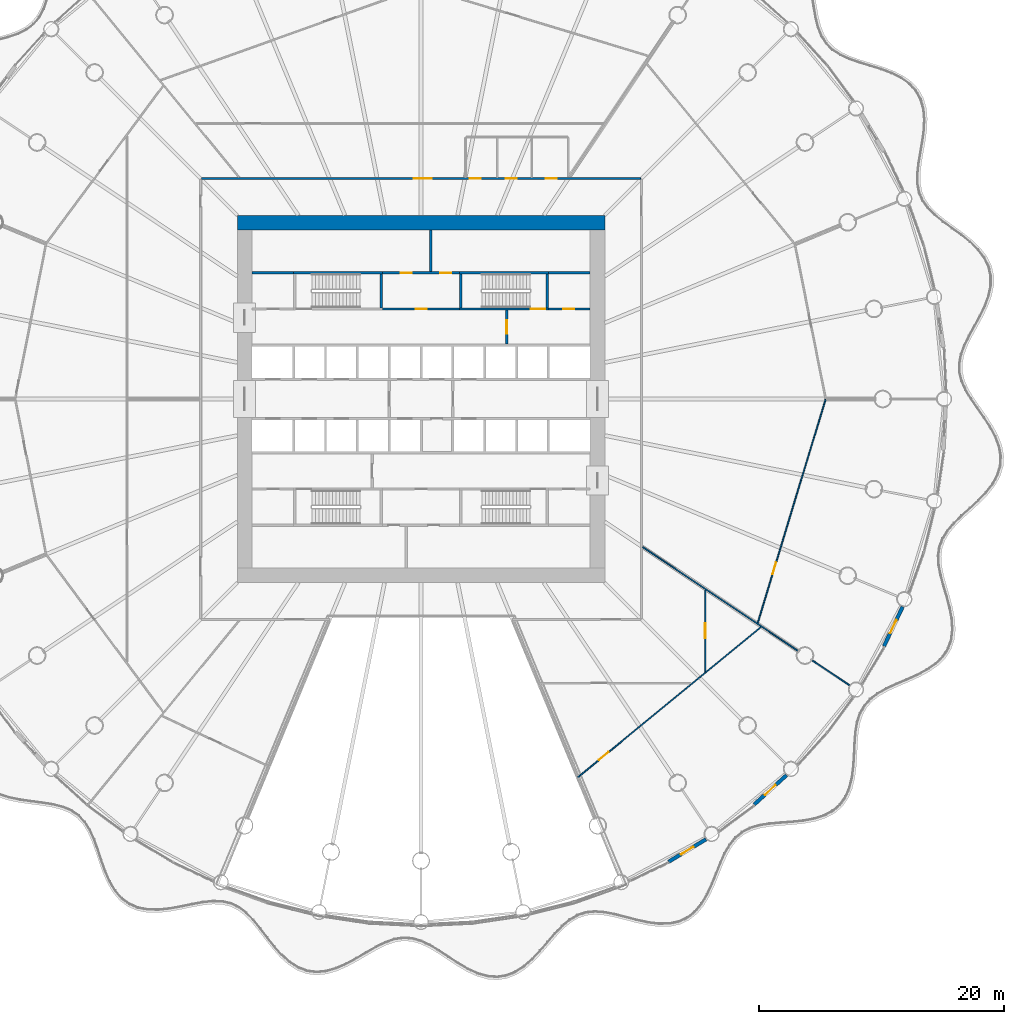
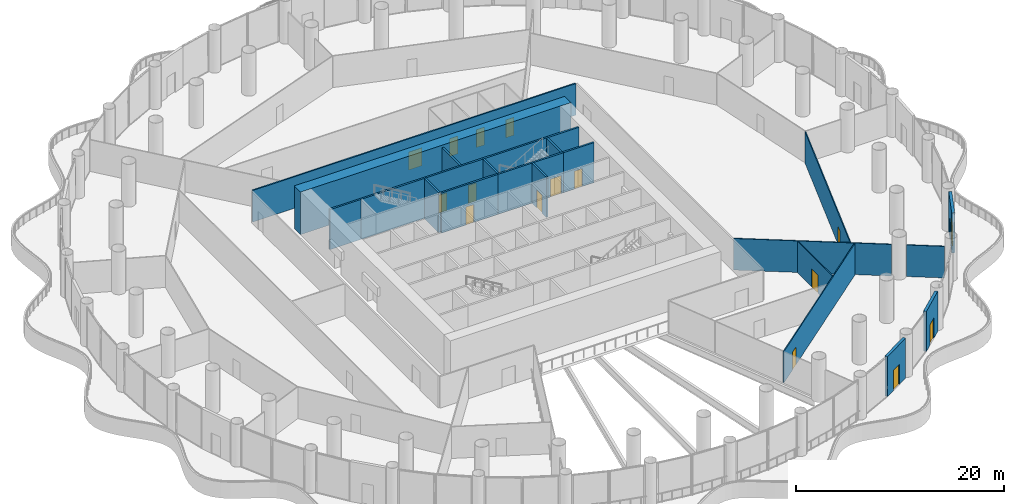
# One storey, part 26 of 36: 23 walls, 16 doors, 16 openings.
"""IFC4 building model written with IfcOpenShell, lengths in metres."""

from ifc_helpers import new_model, si_unit, direction, frame, frame_2d, origin, place, context, subcontext, project, spatial, polyline, rectangle, outline, extrude, material, layer, layer_set, type_object, element, fill, save


model = new_model("IFC4")

# Units and contexts
model_context = context("Model", 3, precision=1e-05, world=origin(), true_north=direction((0.0, 1.0)))
body_context = subcontext(model_context, "Body", "Model", "MODEL_VIEW")
ifc_project = project(units=[si_unit("LENGTHUNIT", "METRE"), si_unit("AREAUNIT", "SQUARE_METRE"), si_unit("VOLUMEUNIT", "CUBIC_METRE"), si_unit("PLANEANGLEUNIT", "RADIAN"), si_unit("MASSUNIT", "GRAM", prefix="KILO")], contexts=[model_context])

# Site, building, storey
site_placement = place(None, origin())
site = spatial("IfcSite", under=ifc_project, at=site_placement, CompositionType="ELEMENT")
building_placement = place(site_placement, origin())
building = spatial("IfcBuilding", under=site, at=building_placement, Name="Corvane Civic Tower", CompositionType="ELEMENT")
storey_placement = place(building_placement, frame((0.0, 0.0, 17.0)))
storey = spatial("IfcBuildingStorey", under=building, at=storey_placement, Name="L03", CompositionType="ELEMENT", Elevation=17.0)

# Wall
ifc_material_1 = material(Name="Concrete C80/95", Category="concrete")
ifc_layer_1 = layer(ifc_material_1, 1.199951171875)
ifc_layer_set_1 = layer_set([ifc_layer_1], Name="Concrete C80/95")
wall_type_1 = type_object("IfcWallType", Name="CORE WALL 1200 C80/95", PredefinedType="SHEAR", material=ifc_layer_set_1)
wall_1_placement = place(storey_placement, frame((-15.0, 14.39990234375, 0.0), z_axis=(0.0, 0.0, 1.0), x_axis=(1.0, 0.0, 0.0)))
element("IfcWall", 1, at=wall_1_placement, inside=storey, type_object=wall_type_1, Name="W-L03-core-N", PredefinedType="SHEAR", context=body_context, shape_type="SweptSolid", body=[
    extrude(rectangle(XDim=30.0, YDim=1.199951171875, at=frame_2d((15.0, 0.0))), origin(), (0.0, 0.0, 1.0), 5.0),
])

# Wall, opening, door
ifc_material_2 = material(Name="Concrete C30/37", Category="concrete")
ifc_layer_2 = layer(ifc_material_2, 0.199951171875)
ifc_layer_set_2 = layer_set([ifc_layer_2], Name="Concrete C30/37")
wall_type_2 = type_object("IfcWallType", Name="CR-WALL-200", PredefinedType="PARTITIONING", material=ifc_layer_set_2)
wall_2_placement = place(storey_placement, frame((-3.14990234375, 7.35009765625, 0.0), z_axis=(0.0, 0.0, 1.0), x_axis=(1.0, 0.0, 0.0)))
wall_2 = element("IfcWall", 2, at=wall_2_placement, inside=storey, type_object=wall_type_2, Name="L03 core partition wall", PredefinedType="PARTITIONING", context=body_context, shape_type="SweptSolid", body=[
    extrude(rectangle(XDim=6.2998046875, YDim=0.199951171875, at=frame_2d((3.14990234375, 0.0))), origin(), (0.0, 0.0, 1.0), 4.699951171875),
])
opening_1_placement = place(wall_2_placement, frame((2.699951171875, 0.0, 0.0)))
opening_1 = element("IfcOpeningElement", 3, at=opening_1_placement, cuts=wall_2, Name="Opening L03.C02", PredefinedType="OPENING", context=body_context, shape_type="SweptSolid", body=[
    extrude(rectangle(XDim=0.89990234375, YDim=2.10009765625, at=frame_2d((0.449951171875, 1.050048828125))), frame((0.0, 0.10986328125, 0.0), z_axis=(0.0, -1.0, 0.0), x_axis=(1.0, 0.0, 0.0)), (0.0, 0.0, 1.0), 0.219970703125),
])
ifc_material_3 = material(Name="Steel fire door leaf", Category="steel")
door_type_1 = type_object("IfcDoorType", Name="CR-DOOR-900", OperationType="SINGLE_SWING_LEFT", PredefinedType="DOOR", material=ifc_material_3)
door_1_placement = place(opening_1_placement, origin())
door_1 = element("IfcDoor", 4, at=door_1_placement, inside=storey, type_object=door_type_1, Name="L03 door", OperationType="SINGLE_SWING_LEFT", OverallHeight=2.10009765625, OverallWidth=0.89990234375, PredefinedType="DOOR", context=body_context, shape_type="SweptSolid", body=[
    extrude(rectangle(XDim=0.89990234375, YDim=2.10009765625, at=frame_2d((0.449951171875, 1.050048828125))), frame((0.0, 0.02490234375, 0.0), z_axis=(0.0, -1.0, 0.0), x_axis=(1.0, 0.0, 0.0)), (0.0, 0.0, 1.0), 0.050048828125),
])
fill(opening_1, door_1)

wall_3_placement = place(storey_placement, frame((10.39990234375, 7.35009765625, 0.0), z_axis=(0.0, 0.0, 1.0), x_axis=(1.0, 0.0, 0.0)))
wall_3 = element("IfcWall", 5, at=wall_3_placement, inside=storey, type_object=wall_type_2, Name="L03 core partition wall", PredefinedType="PARTITIONING", context=body_context, shape_type="SweptSolid", body=[
    extrude(rectangle(XDim=3.400146484375, YDim=0.199951171875, at=frame_2d((1.7001953125, 0.0))), origin(), (0.0, 0.0, 1.0), 4.699951171875),
])
opening_2_placement = place(wall_3_placement, frame((1.199951171875, 0.0, 0.0)))
opening_2 = element("IfcOpeningElement", 6, at=opening_2_placement, cuts=wall_3, Name="Opening L03.C10", PredefinedType="OPENING", context=body_context, shape_type="SweptSolid", body=[
    extrude(rectangle(XDim=0.89990234375, YDim=2.10009765625, at=frame_2d((0.449951171875, 1.050048828125))), frame((0.0, 0.10986328125, 0.0), z_axis=(0.0, -1.0, 0.0), x_axis=(1.0, 0.0, 0.0)), (0.0, 0.0, 1.0), 0.219970703125),
])
door_2_placement = place(opening_2_placement, origin())
door_2 = element("IfcDoor", 7, at=door_2_placement, inside=storey, type_object=door_type_1, Name="L03 door", OperationType="SINGLE_SWING_LEFT", OverallHeight=2.10009765625, OverallWidth=0.89990234375, PredefinedType="DOOR", context=body_context, shape_type="SweptSolid", body=[
    extrude(rectangle(XDim=0.89990234375, YDim=2.10009765625, at=frame_2d((0.449951171875, 1.050048828125))), frame((0.0, 0.02490234375, 0.0), z_axis=(0.0, -1.0, 0.0), x_axis=(1.0, 0.0, 0.0)), (0.0, 0.0, 1.0), 0.050048828125),
])
fill(opening_2, door_2)

# Wall, openings, doors
wall_4_placement = place(storey_placement, frame((-3.14990234375, 10.300048828125, 0.0), z_axis=(0.0, 0.0, 1.0), x_axis=(1.0, 0.0, 0.0)))
wall_4 = element("IfcWall", 8, at=wall_4_placement, inside=storey, type_object=wall_type_2, Name="L03 partition wall", PredefinedType="PARTITIONING", context=body_context, shape_type="SweptSolid", body=[
    extrude(rectangle(XDim=6.2998046875, YDim=0.199951171875, at=frame_2d((3.14990234375, 0.0))), origin(), (0.0, 0.0, 1.0), 4.699951171875),
])
opening_3_placement = place(wall_4_placement, frame((1.47509765625, 0.0, 0.0)))
opening_3 = element("IfcOpeningElement", 9, at=opening_3_placement, cuts=wall_4, Name="Opening L03.C04", PredefinedType="OPENING", context=body_context, shape_type="SweptSolid", body=[
    extrude(rectangle(XDim=0.89990234375, YDim=2.10009765625, at=frame_2d((0.449951171875, 1.050048828125))), frame((0.0, 0.10986328125, 0.0), z_axis=(0.0, -1.0, 0.0), x_axis=(1.0, 0.0, 0.0)), (0.0, 0.0, 1.0), 0.219970703125),
])
opening_4_placement = place(wall_4_placement, frame((4.72509765625, 0.0, 0.0)))
opening_4 = element("IfcOpeningElement", 10, at=opening_4_placement, cuts=wall_4, Name="Opening L03.C05", PredefinedType="OPENING", context=body_context, shape_type="SweptSolid", body=[
    extrude(rectangle(XDim=0.89990234375, YDim=2.10009765625, at=frame_2d((0.449951171875, 1.050048828125))), frame((0.0, 0.10986328125, 0.0), z_axis=(0.0, -1.0, 0.0), x_axis=(1.0, 0.0, 0.0)), (0.0, 0.0, 1.0), 0.219970703125),
])
door_3_placement = place(opening_3_placement, origin())
door_3 = element("IfcDoor", 11, at=door_3_placement, inside=storey, type_object=door_type_1, Name="L03 door", OperationType="SINGLE_SWING_LEFT", OverallHeight=2.10009765625, OverallWidth=0.89990234375, PredefinedType="DOOR", context=body_context, shape_type="SweptSolid", body=[
    extrude(rectangle(XDim=0.89990234375, YDim=2.10009765625, at=frame_2d((0.449951171875, 1.050048828125))), frame((0.0, 0.02490234375, 0.0), z_axis=(0.0, -1.0, 0.0), x_axis=(1.0, 0.0, 0.0)), (0.0, 0.0, 1.0), 0.050048828125),
])
fill(opening_3, door_3)
door_4_placement = place(opening_4_placement, origin())
door_4 = element("IfcDoor", 12, at=door_4_placement, inside=storey, type_object=door_type_1, Name="L03 door", OperationType="SINGLE_SWING_LEFT", OverallHeight=2.10009765625, OverallWidth=0.89990234375, PredefinedType="DOOR", context=body_context, shape_type="SweptSolid", body=[
    extrude(rectangle(XDim=0.89990234375, YDim=2.10009765625, at=frame_2d((0.449951171875, 1.050048828125))), frame((0.0, 0.02490234375, 0.0), z_axis=(0.0, -1.0, 0.0), x_axis=(1.0, 0.0, 0.0)), (0.0, 0.0, 1.0), 0.050048828125),
])
fill(opening_4, door_4)

# Wall, opening, door
wall_5_placement = place(storey_placement, frame((7.0, 4.5, 0.0), z_axis=(0.0, 0.0, 1.0), x_axis=(0.0, 1.0, 0.0)))
wall_5 = element("IfcWall", 13, at=wall_5_placement, inside=storey, type_object=wall_type_2, Name="L03 core partition wall", PredefinedType="PARTITIONING", context=body_context, shape_type="SweptSolid", body=[
    extrude(rectangle(XDim=2.75, YDim=0.199951171875, at=frame_2d((1.375, 0.0))), origin(), (0.0, 0.0, 1.0), 4.699951171875),
])
opening_5_placement = place(wall_5_placement, frame((0.824951171875, 0.0, 0.0)))
opening_5 = element("IfcOpeningElement", 14, at=opening_5_placement, cuts=wall_5, Name="Opening L03.C18", PredefinedType="OPENING", context=body_context, shape_type="SweptSolid", body=[
    extrude(rectangle(XDim=1.10009765625, YDim=2.10009765625, at=frame_2d((0.550048828125, 1.050048828125))), frame((0.0, 0.10986328125, 0.0), z_axis=(0.0, -1.0, 0.0), x_axis=(1.0, 0.0, 0.0)), (0.0, 0.0, 1.0), 0.219970703125),
])
ifc_material_4 = material(Name="Steel fire door leaf", Category="steel")
door_type_2 = type_object("IfcDoorType", Name="CR-DOOR-FFL-1100", OperationType="SINGLE_SWING_LEFT", PredefinedType="DOOR", material=ifc_material_4)
door_5_placement = place(opening_5_placement, origin())
door_5 = element("IfcDoor", 15, at=door_5_placement, inside=storey, type_object=door_type_2, Name="L03 lobby door", OperationType="SINGLE_SWING_LEFT", OverallHeight=2.10009765625, OverallWidth=1.10009765625, PredefinedType="DOOR", context=body_context, shape_type="SweptSolid", body=[
    extrude(rectangle(XDim=1.10009765625, YDim=2.10009765625, at=frame_2d((0.550048828125, 1.050048828125))), frame((0.0, 0.02490234375, 0.0), z_axis=(0.0, -1.0, 0.0), x_axis=(1.0, 0.0, 0.0)), (0.0, 0.0, 1.0), 0.050048828125),
])
fill(opening_5, door_5)

# Walls
wall_6_placement = place(storey_placement, origin())
element("IfcWall", 16, at=wall_6_placement, inside=storey, type_object=wall_type_2, Name="L03 core partition wall", PredefinedType="PARTITIONING", context=body_context, shape_type="SweptSolid", body=[
    extrude(outline(polyline([(-13.800048828125, 10.199951171875), (-13.800048828125, 10.39990234375), (-10.39990234375, 10.39990234375), (-10.39990234375, 10.199951171875), (-13.800048828125, 10.199951171875)])), origin(), (0.0, 0.0, 1.0), 4.699951171875),
])
wall_7_placement = place(storey_placement, origin())
element("IfcWall", 17, at=wall_7_placement, inside=storey, type_object=wall_type_2, Name="L03 core partition wall", PredefinedType="PARTITIONING", context=body_context, shape_type="SweptSolid", body=[
    extrude(outline(polyline([(0.89990234375, 10.39990234375), (0.699951171875, 10.39990234375), (0.699951171875, 13.800048828125), (0.89990234375, 13.800048828125), (0.89990234375, 10.39990234375)])), origin(), (0.0, 0.0, 1.0), 4.699951171875),
])
wall_8_placement = place(storey_placement, origin())
element("IfcWall", 18, at=wall_8_placement, inside=storey, type_object=wall_type_2, Name="L03 core partition wall", PredefinedType="PARTITIONING", context=body_context, shape_type="SweptSolid", body=[
    extrude(outline(polyline([(10.39990234375, 10.199951171875), (10.39990234375, 10.39990234375), (13.800048828125, 10.39990234375), (13.800048828125, 10.199951171875), (10.39990234375, 10.199951171875)])), origin(), (0.0, 0.0, 1.0), 4.699951171875),
])

# Wall, opening, door
ifc_material_5 = material(Name="Terracotta cladding", Category="masonry")
ifc_layer_3 = layer(ifc_material_5, 0.300048828125)
ifc_layer_set_3 = layer_set([ifc_layer_3], Name="Terracotta cladding")
wall_type_3 = type_object("IfcWallType", Name="PODIUM-W-DRUMDOOR-300", PredefinedType="SOLIDWALL", material=ifc_layer_set_3)
wall_9_placement = place(storey_placement, frame((39.317626953125, -16.9697265625, 0.0), z_axis=(0.0, 0.0, 1.0), x_axis=(-0.427546758778, -0.903993235074, 0.0)))
wall_9 = element("IfcWall", 19, at=wall_9_placement, inside=storey, type_object=wall_type_3, Name="L03 drum door bay wall 11", PredefinedType="SOLIDWALL", context=body_context, shape_type="SweptSolid", body=[
    extrude(rectangle(XDim=3.559814453125, YDim=0.300048828125, at=frame_2d((1.77978515625, 0.0))), origin(), (0.0, 0.0, 1.0), 4.699951171875),
])
opening_6_placement = place(wall_9_placement, frame((1.179931640625, 0.0, 0.0)))
opening_6 = element("IfcOpeningElement", 20, at=opening_6_placement, cuts=wall_9, Name="Opening ED-L03-11", PredefinedType="OPENING", context=body_context, shape_type="SweptSolid", body=[
    extrude(rectangle(XDim=1.199951171875, YDim=2.39990234375, at=frame_2d((0.60009765625, 1.199951171875))), frame((0.0, 0.159912109375, 0.0), z_axis=(0.0, -1.0, 0.0), x_axis=(1.0, 0.0, 0.0)), (0.0, 0.0, 1.0), 0.320068359375),
])
ifc_material_6 = material(Name="Anodised aluminium and glass", Category="aluminium")
door_type_3 = type_object("IfcDoorType", Name="PODIUM-D-BALCONY-1200", OperationType="SINGLE_SWING_LEFT", PredefinedType="DOOR", material=ifc_material_6)
door_6_placement = place(opening_6_placement, origin())
door_6 = element("IfcDoor", 21, at=door_6_placement, inside=storey, type_object=door_type_3, Name="L03 balcony door 11", OperationType="SINGLE_SWING_LEFT", OverallHeight=2.39990234375, OverallWidth=1.199951171875, PredefinedType="DOOR", context=body_context, shape_type="SweptSolid", body=[
    extrude(rectangle(XDim=1.199951171875, YDim=2.39990234375, at=frame_2d((0.60009765625, 1.199951171875))), frame((0.0, 0.02490234375, 0.0), z_axis=(0.0, -1.0, 0.0), x_axis=(1.0, 0.0, 0.0)), (0.0, 0.0, 1.0), 0.050048828125),
])
fill(opening_6, door_6)

wall_10_placement = place(storey_placement, frame((29.83056640625, -30.72412109375, 0.0), z_axis=(0.0, 0.0, 1.0), x_axis=(-0.740922965913, -0.671590022694, 0.0)))
wall_10 = element("IfcWall", 22, at=wall_10_placement, inside=storey, type_object=wall_type_3, Name="L03 drum door bay wall 13", PredefinedType="SOLIDWALL", context=body_context, shape_type="SweptSolid", body=[
    extrude(rectangle(XDim=3.56005859375, YDim=0.300048828125, at=frame_2d((1.780029296875, 0.0))), origin(), (0.0, 0.0, 1.0), 4.699951171875),
])
opening_7_placement = place(wall_10_placement, frame((1.179931640625, 0.0, 0.0)))
opening_7 = element("IfcOpeningElement", 23, at=opening_7_placement, cuts=wall_10, Name="Opening ED-L03-13", PredefinedType="OPENING", context=body_context, shape_type="SweptSolid", body=[
    extrude(rectangle(XDim=1.199951171875, YDim=2.39990234375, at=frame_2d((0.60009765625, 1.199951171875))), frame((0.0, 0.159912109375, 0.0), z_axis=(0.0, -1.0, 0.0), x_axis=(1.0, 0.0, 0.0)), (0.0, 0.0, 1.0), 0.320068359375),
])
door_7_placement = place(opening_7_placement, origin())
door_7 = element("IfcDoor", 24, at=door_7_placement, inside=storey, type_object=door_type_3, Name="L03 balcony door 13", OperationType="SINGLE_SWING_LEFT", OverallHeight=2.39990234375, OverallWidth=1.199951171875, PredefinedType="DOOR", context=body_context, shape_type="SweptSolid", body=[
    extrude(rectangle(XDim=1.199951171875, YDim=2.39990234375, at=frame_2d((0.60009765625, 1.199951171875))), frame((0.0, 0.02490234375, 0.0), z_axis=(0.0, -1.0, 0.0), x_axis=(1.0, 0.0, 0.0)), (0.0, 0.0, 1.0), 0.050048828125),
])
fill(opening_7, door_7)

wall_11_placement = place(storey_placement, frame((23.26318359375, -35.95361328125, 0.0), z_axis=(0.0, 0.0, 1.0), x_axis=(-0.85770467182, -0.514142680525, 0.0)))
wall_11 = element("IfcWall", 25, at=wall_11_placement, inside=storey, type_object=wall_type_3, Name="L03 drum door bay wall 14", PredefinedType="SOLIDWALL", context=body_context, shape_type="SweptSolid", body=[
    extrude(rectangle(XDim=3.5595703125, YDim=0.300048828125, at=frame_2d((1.77978515625, 0.0))), origin(), (0.0, 0.0, 1.0), 4.699951171875),
])
opening_8_placement = place(wall_11_placement, frame((1.179931640625, 0.0, 0.0)))
opening_8 = element("IfcOpeningElement", 26, at=opening_8_placement, cuts=wall_11, Name="Opening ED-L03-14", PredefinedType="OPENING", context=body_context, shape_type="SweptSolid", body=[
    extrude(rectangle(XDim=1.199951171875, YDim=2.39990234375, at=frame_2d((0.60009765625, 1.199951171875))), frame((0.0, 0.159912109375, 0.0), z_axis=(0.0, -1.0, 0.0), x_axis=(1.0, 0.0, 0.0)), (0.0, 0.0, 1.0), 0.320068359375),
])
door_8_placement = place(opening_8_placement, origin())
door_8 = element("IfcDoor", 27, at=door_8_placement, inside=storey, type_object=door_type_3, Name="L03 balcony door 14", OperationType="SINGLE_SWING_RIGHT", OverallHeight=2.39990234375, OverallWidth=1.199951171875, PredefinedType="DOOR", context=body_context, shape_type="SweptSolid", body=[
    extrude(rectangle(XDim=1.199951171875, YDim=2.39990234375, at=frame_2d((0.60009765625, 1.199951171875))), frame((0.0, 0.02490234375, 0.0), z_axis=(0.0, -1.0, 0.0), x_axis=(1.0, 0.0, 0.0)), (0.0, 0.0, 1.0), 0.050048828125),
])
fill(opening_8, door_8)

ifc_material_7 = material(Name="Plasterboard")
ifc_layer_4 = layer(ifc_material_7, 0.10009765625)
ifc_layer_set_4 = layer_set([ifc_layer_4], Name="Plasterboard")
wall_type_4 = type_object("IfcWallType", Name="Partition 100 plasterboard on studs", PredefinedType="PARTITIONING", material=ifc_layer_set_4)
wall_12_placement = place(storey_placement, frame((12.79638671875, -30.893310546875, 0.0), z_axis=(0.0, 0.0, 1.0), x_axis=(0.773014657439, 0.634388161447, 0.0)))
wall_12 = element("IfcWall", 28, at=wall_12_placement, inside=storey, type_object=wall_type_4, Name="Partition L03.002", PredefinedType="PARTITIONING", context=body_context, shape_type="SweptSolid", body=[
    extrude(rectangle(XDim=19.34619140625, YDim=0.10009765625, at=frame_2d((9.673095703125, 0.0))), origin(), (0.0, 0.0, 1.0), 3.699951171875),
])
opening_9_placement = place(wall_12_placement, frame((2.258056640625, 0.0, 0.0)))
opening_9 = element("IfcOpeningElement", 29, at=opening_9_placement, cuts=wall_12, Name="Opening L03.001", PredefinedType="OPENING", context=body_context, shape_type="SweptSolid", body=[
    extrude(rectangle(XDim=1.0, YDim=2.10009765625, at=frame_2d((0.5, 1.050048828125))), frame((0.0, 0.06005859375, 0.0), z_axis=(0.0, -1.0, 0.0), x_axis=(1.0, 0.0, 0.0)), (0.0, 0.0, 1.0), 0.1201171875),
])
ifc_material_8 = material(Name="Timber", Category="wood")
door_type_4 = type_object("IfcDoorType", Name="Single door 1000", OperationType="NOTDEFINED", PredefinedType="DOOR", material=ifc_material_8)
door_9_placement = place(opening_9_placement, frame((1.0, 0.0, 0.0), z_axis=(0.0, 0.0, 1.0), x_axis=(-1.0, 0.0, 0.0)))
door_9 = element("IfcDoor", 30, at=door_9_placement, inside=storey, type_object=door_type_4, Name="Door L03.001", OperationType="SINGLE_SWING_LEFT", OverallHeight=2.10009765625, OverallWidth=1.0, PredefinedType="DOOR", context=body_context, shape_type="SweptSolid", body=[
    extrude(rectangle(XDim=1.0, YDim=2.10009765625, at=frame_2d((0.5, 1.050048828125))), frame((0.0, 0.02490234375, 0.0), z_axis=(0.0, -1.0, 0.0), x_axis=(1.0, 0.0, 0.0)), (0.0, 0.0, 1.0), 0.050048828125),
])
fill(opening_9, door_9)

# Wall
wall_13_placement = place(storey_placement, frame((31.936767578125, -21.339599609375, 0.0), z_axis=(0.0, 0.0, 1.0), x_axis=(0.831508927146, -0.555511389691, 0.0)))
element("IfcWall", 31, at=wall_13_placement, inside=storey, type_object=wall_type_4, Name="Partition L03.005", PredefinedType="PARTITIONING", context=body_context, shape_type="SweptSolid", body=[
    extrude(rectangle(XDim=3.679931640625, YDim=0.10009765625, at=frame_2d((1.83984375, 0.0))), origin(), (0.0, 0.0, 1.0), 3.699951171875),
])

# Wall, opening, door
wall_14_placement = place(storey_placement, frame((23.199951171875, -22.249755859375, 0.0), z_axis=(0.0, 0.0, 1.0), x_axis=(0.0, 1.0, 0.0)))
wall_14 = element("IfcWall", 32, at=wall_14_placement, inside=storey, type_object=wall_type_4, Name="Partition L03.007", PredefinedType="PARTITIONING", context=body_context, shape_type="SweptSolid", body=[
    extrude(rectangle(XDim=6.654541015625, YDim=0.10009765625, at=frame_2d((3.3271484375, 0.0))), origin(), (0.0, 0.0, 1.0), 3.699951171875),
])
opening_10_placement = place(wall_14_placement, frame((2.72119140625, 0.0, 0.0)))
opening_10 = element("IfcOpeningElement", 33, at=opening_10_placement, cuts=wall_14, Name="Opening L03.005", PredefinedType="OPENING", context=body_context, shape_type="SweptSolid", body=[
    extrude(rectangle(XDim=1.199951171875, YDim=2.10009765625, at=frame_2d((0.60009765625, 1.050048828125))), frame((0.0, 0.06005859375, 0.0), z_axis=(0.0, -1.0, 0.0), x_axis=(1.0, 0.0, 0.0)), (0.0, 0.0, 1.0), 0.1201171875),
])
ifc_material_9 = material(Name="Timber", Category="wood")
door_type_5 = type_object("IfcDoorType", Name="Double door 1200", OperationType="NOTDEFINED", PredefinedType="DOOR", material=ifc_material_9)
door_10_placement = place(opening_10_placement, frame((1.199951171875, 0.0, 0.0), z_axis=(0.0, 0.0, 1.0), x_axis=(-1.0, 0.0, 0.0)))
door_10 = element("IfcDoor", 34, at=door_10_placement, inside=storey, type_object=door_type_5, Name="Door L03.005", OperationType="DOUBLE_DOOR_SINGLE_SWING", OverallHeight=2.10009765625, OverallWidth=1.199951171875, PredefinedType="DOOR", context=body_context, shape_type="SweptSolid", body=[
    extrude(rectangle(XDim=1.199951171875, YDim=2.10009765625, at=frame_2d((0.60009765625, 1.050048828125))), frame((0.0, 0.02490234375, 0.0), z_axis=(0.0, -1.0, 0.0), x_axis=(1.0, 0.0, 0.0)), (0.0, 0.0, 1.0), 0.050048828125),
])
fill(opening_10, door_10)

# Wall
wall_15_placement = place(storey_placement, frame((18.102783203125, -12.095947265625, 0.0), z_axis=(0.0, 0.0, 1.0), x_axis=(0.83147229833, -0.555566213074, 0.0)))
element("IfcWall", 35, at=wall_15_placement, inside=storey, type_object=wall_type_4, Name="Partition L03.009", PredefinedType="PARTITIONING", context=body_context, shape_type="SweptSolid", body=[
    extrude(rectangle(XDim=15.218017578125, YDim=0.10009765625, at=frame_2d((7.60888671875, 0.0))), origin(), (0.0, 0.0, 1.0), 3.699951171875),
])

# Wall, opening, door
wall_16_placement = place(storey_placement, frame((27.489990234375, -18.29052734375, 0.0), z_axis=(0.0, 0.0, 1.0), x_axis=(0.290283018081, 0.956940839035, 0.0)))
wall_16 = element("IfcWall", 36, at=wall_16_placement, inside=storey, type_object=wall_type_4, Name="Partition L03.010", PredefinedType="PARTITIONING", context=body_context, shape_type="SweptSolid", body=[
    extrude(rectangle(XDim=19.07666015625, YDim=0.10009765625, at=frame_2d((9.538330078125, 0.0))), origin(), (0.0, 0.0, 1.0), 3.699951171875),
])
opening_11_placement = place(wall_16_placement, frame((4.170654296875, 0.0, 0.0)))
opening_11 = element("IfcOpeningElement", 37, at=opening_11_placement, cuts=wall_16, Name="Opening L03.023", PredefinedType="OPENING", context=body_context, shape_type="SweptSolid", body=[
    extrude(rectangle(XDim=1.0, YDim=2.10009765625, at=frame_2d((0.5, 1.050048828125))), frame((0.0, 0.06005859375, 0.0), z_axis=(0.0, -1.0, 0.0), x_axis=(1.0, 0.0, 0.0)), (0.0, 0.0, 1.0), 0.1201171875),
])
door_11_placement = place(opening_11_placement, frame((1.0, 0.0, 0.0), z_axis=(0.0, 0.0, 1.0), x_axis=(-1.0, 0.0, 0.0)))
door_11 = element("IfcDoor", 38, at=door_11_placement, inside=storey, type_object=door_type_4, Name="Door L03.023", OperationType="SINGLE_SWING_LEFT", OverallHeight=2.10009765625, OverallWidth=1.0, PredefinedType="DOOR", context=body_context, shape_type="SweptSolid", body=[
    extrude(rectangle(XDim=1.0, YDim=2.10009765625, at=frame_2d((0.5, 1.050048828125))), frame((0.0, 0.02490234375, 0.0), z_axis=(0.0, -1.0, 0.0), x_axis=(1.0, 0.0, 0.0)), (0.0, 0.0, 1.0), 0.050048828125),
])
fill(opening_11, door_11)

ifc_material_10 = material(Name="Concrete C50/60", Category="concrete")
ifc_layer_5 = layer(ifc_material_10, 0.199951171875)
ifc_layer_set_5 = layer_set([ifc_layer_5], Name="Concrete C50/60")
wall_type_5 = type_object("IfcWallType", Name="ST-WALL-200", PredefinedType="SHEAR", material=ifc_layer_set_5)
wall_17_placement = place(storey_placement, frame((3.14990234375, 7.35009765625, 0.0), z_axis=(0.0, 0.0, 1.0), x_axis=(1.0, 0.0, 0.0)))
wall_17 = element("IfcWall", 39, at=wall_17_placement, inside=storey, type_object=wall_type_5, Name="L03 stair enclosure wall", PredefinedType="SHEAR", context=body_context, shape_type="SweptSolid", body=[
    extrude(rectangle(XDim=7.25, YDim=0.199951171875, at=frame_2d((3.625, 0.0))), origin(), (0.0, 0.0, 1.0), 4.699951171875),
])
opening_12_placement = place(wall_17_placement, frame((5.800048828125, 0.0, 0.0)))
opening_12 = element("IfcOpeningElement", 40, at=opening_12_placement, cuts=wall_17, Name="Opening L03.C12", PredefinedType="OPENING", context=body_context, shape_type="SweptSolid", body=[
    extrude(rectangle(XDim=1.199951171875, YDim=2.10009765625, at=frame_2d((0.60009765625, 1.050048828125))), frame((0.0, 0.10986328125, 0.0), z_axis=(0.0, -1.0, 0.0), x_axis=(1.0, 0.0, 0.0)), (0.0, 0.0, 1.0), 0.219970703125),
])
ifc_material_11 = material(Name="Steel fire door leaf", Category="steel")
door_type_6 = type_object("IfcDoorType", Name="ST-DOOR-1200", OperationType="SINGLE_SWING_RIGHT", PredefinedType="DOOR", material=ifc_material_11)
door_12_placement = place(opening_12_placement, origin())
door_12 = element("IfcDoor", 41, at=door_12_placement, inside=storey, type_object=door_type_6, Name="L03 stair door", OperationType="SINGLE_SWING_RIGHT", OverallHeight=2.10009765625, OverallWidth=1.199951171875, PredefinedType="DOOR", context=body_context, shape_type="SweptSolid", body=[
    extrude(rectangle(XDim=1.199951171875, YDim=2.10009765625, at=frame_2d((0.60009765625, 1.050048828125))), frame((0.0, 0.02490234375, 0.0), z_axis=(0.0, -1.0, 0.0), x_axis=(1.0, 0.0, 0.0)), (0.0, 0.0, 1.0), 0.050048828125),
])
fill(opening_12, door_12)

# Walls
wall_18_placement = place(storey_placement, origin())
element("IfcWall", 42, at=wall_18_placement, inside=storey, type_object=wall_type_5, Name="L03 stair enclosure wall", PredefinedType="SHEAR", context=body_context, shape_type="SweptSolid", body=[
    extrude(outline(polyline([(-3.14990234375, 10.199951171875), (-10.39990234375, 10.199951171875), (-10.39990234375, 10.39990234375), (-3.14990234375, 10.39990234375), (-3.14990234375, 10.199951171875)])), origin(), (0.0, 0.0, 1.0), 4.699951171875),
])
wall_19_placement = place(storey_placement, origin())
element("IfcWall", 43, at=wall_19_placement, inside=storey, type_object=wall_type_5, Name="L03 stair enclosure wall", PredefinedType="SHEAR", context=body_context, shape_type="SweptSolid", body=[
    extrude(outline(polyline([(10.39990234375, 10.199951171875), (3.14990234375, 10.199951171875), (3.14990234375, 10.39990234375), (10.39990234375, 10.39990234375), (10.39990234375, 10.199951171875)])), origin(), (0.0, 0.0, 1.0), 4.699951171875),
])
wall_20_placement = place(storey_placement, origin())
element("IfcWall", 44, at=wall_20_placement, inside=storey, type_object=wall_type_5, Name="L03 stair enclosure wall", PredefinedType="SHEAR", context=body_context, shape_type="SweptSolid", body=[
    extrude(outline(polyline([(-3.14990234375, 7.449951171875), (-3.35009765625, 7.449951171875), (-3.35009765625, 10.199951171875), (-3.14990234375, 10.199951171875), (-3.14990234375, 7.449951171875)])), origin(), (0.0, 0.0, 1.0), 4.699951171875),
])
wall_21_placement = place(storey_placement, origin())
element("IfcWall", 45, at=wall_21_placement, inside=storey, type_object=wall_type_5, Name="L03 stair enclosure wall", PredefinedType="SHEAR", context=body_context, shape_type="SweptSolid", body=[
    extrude(outline(polyline([(3.35009765625, 7.449951171875), (3.14990234375, 7.449951171875), (3.14990234375, 10.199951171875), (3.35009765625, 10.199951171875), (3.35009765625, 7.449951171875)])), origin(), (0.0, 0.0, 1.0), 4.699951171875),
])
wall_22_placement = place(storey_placement, origin())
element("IfcWall", 46, at=wall_22_placement, inside=storey, type_object=wall_type_5, Name="L03 stair enclosure wall", PredefinedType="SHEAR", context=body_context, shape_type="SweptSolid", body=[
    extrude(outline(polyline([(10.39990234375, 7.449951171875), (10.199951171875, 7.449951171875), (10.199951171875, 10.199951171875), (10.39990234375, 10.199951171875), (10.39990234375, 7.449951171875)])), origin(), (0.0, 0.0, 1.0), 4.699951171875),
])

# Wall, openings, doors
ifc_material_12 = material(Name="Plasterboard")
ifc_layer_6 = layer(ifc_material_12, 0.14990234375)
ifc_layer_set_6 = layer_set([ifc_layer_6], Name="Plasterboard")
wall_type_6 = type_object("IfcWallType", Name="Tenancy wall 150 EI 60", PredefinedType="PARTITIONING", material=ifc_layer_set_6)
wall_23_placement = place(storey_placement, frame((-17.925048828125, 18.0, 0.0), z_axis=(0.0, 0.0, 1.0), x_axis=(1.0, 0.0, 0.0)))
wall_23 = element("IfcWall", 47, at=wall_23_placement, inside=storey, type_object=wall_type_6, Name="Partition L03.031", PredefinedType="PARTITIONING", context=body_context, shape_type="SweptSolid", body=[
    extrude(rectangle(XDim=35.85009765625, YDim=0.14990234375, at=frame_2d((17.925048828125, 0.0))), origin(), (0.0, 0.0, 1.0), 3.699951171875),
])
opening_13_placement = place(wall_23_placement, frame((17.31298828125, 0.0, 0.0)))
opening_13 = element("IfcOpeningElement", 48, at=opening_13_placement, cuts=wall_23, Name="Opening L03.017", PredefinedType="OPENING", context=body_context, shape_type="SweptSolid", body=[
    extrude(rectangle(XDim=1.5, YDim=2.10009765625, at=frame_2d((0.75, 1.050048828125))), frame((0.0, 0.0849609375, 0.0), z_axis=(0.0, -1.0, 0.0), x_axis=(1.0, 0.0, 0.0)), (0.0, 0.0, 1.0), 0.169921875),
])
opening_14_placement = place(wall_23_placement, frame((28.122314453125, 0.0, 0.0)))
opening_14 = element("IfcOpeningElement", 49, at=opening_14_placement, cuts=wall_23, Name="Opening L03.018", PredefinedType="OPENING", context=body_context, shape_type="SweptSolid", body=[
    extrude(rectangle(XDim=0.89990234375, YDim=2.10009765625, at=frame_2d((0.449951171875, 1.050048828125))), frame((0.0, 0.0849609375, 0.0), z_axis=(0.0, -1.0, 0.0), x_axis=(1.0, 0.0, 0.0)), (0.0, 0.0, 1.0), 0.169921875),
])
opening_15_placement = place(wall_23_placement, frame((24.848876953125, 0.0, 0.0)))
opening_15 = element("IfcOpeningElement", 50, at=opening_15_placement, cuts=wall_23, Name="Opening L03.019", PredefinedType="OPENING", context=body_context, shape_type="SweptSolid", body=[
    extrude(rectangle(XDim=0.89990234375, YDim=2.10009765625, at=frame_2d((0.449951171875, 1.050048828125))), frame((0.0, 0.0849609375, 0.0), z_axis=(0.0, -1.0, 0.0), x_axis=(1.0, 0.0, 0.0)), (0.0, 0.0, 1.0), 0.169921875),
])
opening_16_placement = place(wall_23_placement, frame((21.8837890625, 0.0, 0.0)))
opening_16 = element("IfcOpeningElement", 51, at=opening_16_placement, cuts=wall_23, Name="Opening L03.020", PredefinedType="OPENING", context=body_context, shape_type="SweptSolid", body=[
    extrude(rectangle(XDim=0.89990234375, YDim=2.10009765625, at=frame_2d((0.449951171875, 1.050048828125))), frame((0.0, 0.0849609375, 0.0), z_axis=(0.0, -1.0, 0.0), x_axis=(1.0, 0.0, 0.0)), (0.0, 0.0, 1.0), 0.169921875),
])
ifc_material_13 = material(Name="Steel and timber", Category="steel")
door_type_7 = type_object("IfcDoorType", Name="Fire door FD30S 900", OperationType="NOTDEFINED", PredefinedType="DOOR", material=ifc_material_13)
door_13_placement = place(opening_14_placement, origin())
door_13 = element("IfcDoor", 52, at=door_13_placement, inside=storey, type_object=door_type_7, Name="Door L03.018", OperationType="SINGLE_SWING_RIGHT", OverallHeight=2.10009765625, OverallWidth=0.89990234375, PredefinedType="DOOR", context=body_context, shape_type="SweptSolid", body=[
    extrude(rectangle(XDim=0.89990234375, YDim=2.10009765625, at=frame_2d((0.449951171875, 1.050048828125))), frame((0.0, 0.02490234375, 0.0), z_axis=(0.0, -1.0, 0.0), x_axis=(1.0, 0.0, 0.0)), (0.0, 0.0, 1.0), 0.050048828125),
])
fill(opening_14, door_13)
door_14_placement = place(opening_15_placement, origin())
door_14 = element("IfcDoor", 53, at=door_14_placement, inside=storey, type_object=door_type_7, Name="Door L03.019", OperationType="SINGLE_SWING_LEFT", OverallHeight=2.10009765625, OverallWidth=0.89990234375, PredefinedType="DOOR", context=body_context, shape_type="SweptSolid", body=[
    extrude(rectangle(XDim=0.89990234375, YDim=2.10009765625, at=frame_2d((0.449951171875, 1.050048828125))), frame((0.0, 0.02490234375, 0.0), z_axis=(0.0, -1.0, 0.0), x_axis=(1.0, 0.0, 0.0)), (0.0, 0.0, 1.0), 0.050048828125),
])
fill(opening_15, door_14)
door_15_placement = place(opening_16_placement, origin())
door_15 = element("IfcDoor", 54, at=door_15_placement, inside=storey, type_object=door_type_7, Name="Door L03.020", OperationType="SINGLE_SWING_LEFT", OverallHeight=2.10009765625, OverallWidth=0.89990234375, PredefinedType="DOOR", context=body_context, shape_type="SweptSolid", body=[
    extrude(rectangle(XDim=0.89990234375, YDim=2.10009765625, at=frame_2d((0.449951171875, 1.050048828125))), frame((0.0, 0.02490234375, 0.0), z_axis=(0.0, -1.0, 0.0), x_axis=(1.0, 0.0, 0.0)), (0.0, 0.0, 1.0), 0.050048828125),
])
fill(opening_16, door_15)
ifc_material_14 = material(Name="Steel and timber", Category="steel")
door_type_8 = type_object("IfcDoorType", Name="Fire door FD60 double 1500", OperationType="NOTDEFINED", PredefinedType="DOOR", material=ifc_material_14)
door_16_placement = place(opening_13_placement, origin())
door_16 = element("IfcDoor", 55, at=door_16_placement, inside=storey, type_object=door_type_8, Name="Door L03.017", OperationType="DOUBLE_DOOR_SINGLE_SWING", OverallHeight=2.10009765625, OverallWidth=1.5, PredefinedType="DOOR", context=body_context, shape_type="SweptSolid", body=[
    extrude(rectangle(XDim=1.5, YDim=2.10009765625, at=frame_2d((0.75, 1.050048828125))), frame((0.0, 0.02490234375, 0.0), z_axis=(0.0, -1.0, 0.0), x_axis=(1.0, 0.0, 0.0)), (0.0, 0.0, 1.0), 0.050048828125),
])
fill(opening_13, door_16)

save(model, "model.ifc")
